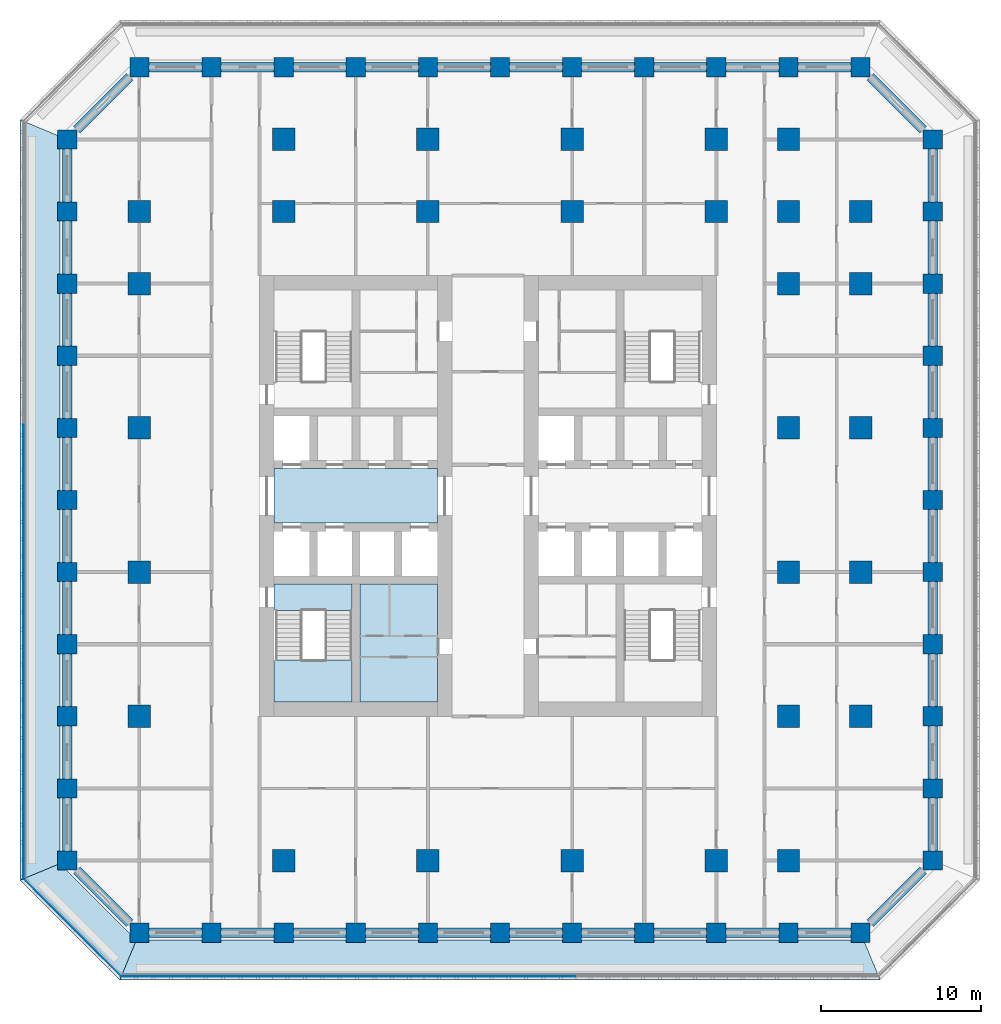
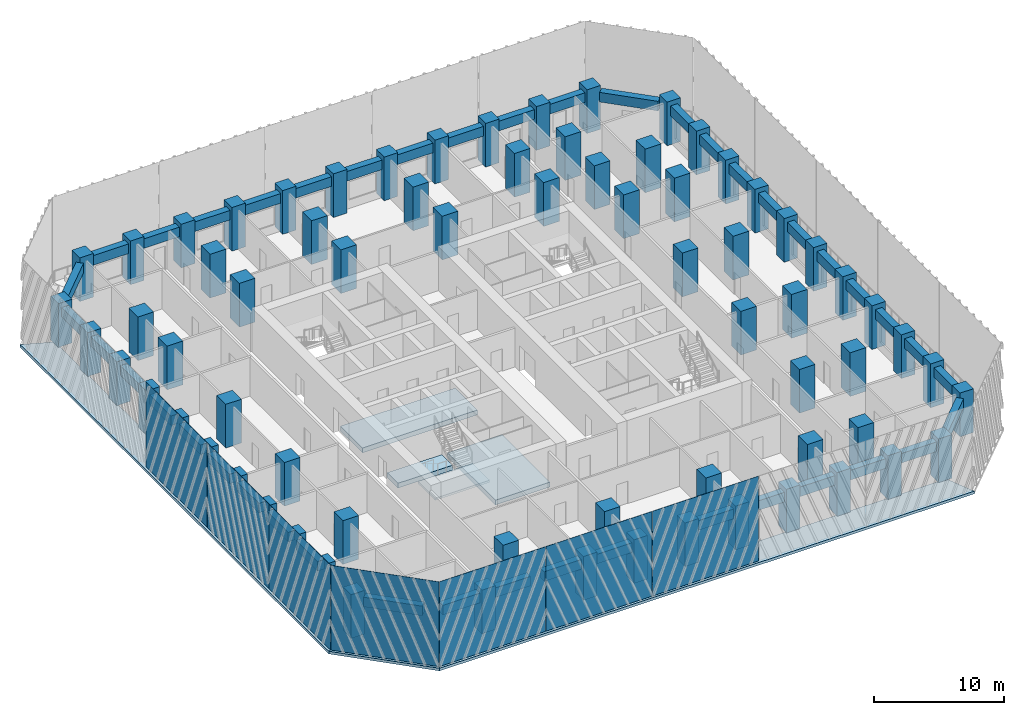
# One storey, part 1 of 20: 73 columns, 44 beams, 7 plates, 7 slabs, 1 element without a shape of its own.
"""IFC4 building model written with IfcOpenShell, lengths in metres."""

from ifc_helpers import new_model, si_unit, direction, frame, origin, origin_2d, place, context, subcontext, project, spatial, polyline, rectangle, outline, extrude, material, layer, layer_set, material_profile, profile_set, type_object, element, aggregate, save


model = new_model("IFC4")

# Units and contexts
model_context = context("Model", 3, precision=1e-05, world=origin(), true_north=direction((0.0, 1.0)))
body_context = subcontext(model_context, "Body", "Model", "MODEL_VIEW")
ifc_project = project(units=[si_unit("LENGTHUNIT", "METRE"), si_unit("AREAUNIT", "SQUARE_METRE"), si_unit("VOLUMEUNIT", "CUBIC_METRE"), si_unit("PLANEANGLEUNIT", "RADIAN"), si_unit("MASSUNIT", "GRAM", prefix="KILO")], contexts=[model_context])

# Site, building, storey
site_placement = place(None, origin())
site = spatial("IfcSite", under=ifc_project, at=site_placement, CompositionType="ELEMENT")
building_placement = place(site_placement, origin())
building = spatial("IfcBuilding", under=site, at=building_placement, Name="Corbel Stack Research Tower", CompositionType="ELEMENT")
storey_placement = place(building_placement, frame((0.0, 0.0, 98.39990234375)))
storey = spatial("IfcBuildingStorey", under=building, at=storey_placement, Name="L22", CompositionType="ELEMENT", Elevation=98.39990234375)

# Columns
ifc_material_1 = material(Name="Concrete C70/85", Category="concrete")
ifc_material_profile_1 = material_profile(ifc_material_1, rectangle(XDim=1.199951171875, YDim=1.199951171875, at=origin_2d()), Name="RC 1200 x 1200")
ifc_profile_set_1 = profile_set([ifc_material_profile_1], Name="Concrete C70/85")
column_type_1 = type_object("IfcColumnType", Name="C-1200-70", PredefinedType="COLUMN", material=ifc_profile_set_1)
for number, where, z_axis, x_axis, name in (
    (1, (-22.5, -18.0, 0.0), (0.0, 0.0, 1.0), (1.0, 0.0, 0.0), "Column 3/D L22"),
    (2, (-22.5, -13.5, 0.0), (0.0, 0.0, 1.0), (1.0, 0.0, 0.0), "Column 3/E L22"),
    (3, (-22.5, -9.0, 0.0), (0.0, 0.0, 1.0), (1.0, 0.0, 0.0), "Column 3/F L22"),
    (4, (-22.5, -4.5, 0.0), (0.0, 0.0, 1.0), (1.0, 0.0, 0.0), "Column 3/G L22"),
    (5, (-22.5, 0.0, 0.0), (0.0, 0.0, 1.0), (1.0, 0.0, 0.0), "Column 3/H L22"),
    (6, (-22.5, 4.5, 0.0), (0.0, 0.0, 1.0), (1.0, 0.0, 0.0), "Column 3/J L22"),
    (7, (-22.5, 9.0, 0.0), (0.0, 0.0, 1.0), (1.0, 0.0, 0.0), "Column 3/K L22"),
    (8, (-22.5, 13.5, 0.0), (0.0, 0.0, 1.0), (1.0, 0.0, 0.0), "Column 3/L L22"),
    (9, (-22.5, 18.0, 0.0), (0.0, 0.0, 1.0), (1.0, 0.0, 0.0), "Column 3/M L22"),
    (10, (-22.5, 22.5, 0.0), (0.0, 0.0, 1.0), (1.0, 0.0, 0.0), "Column 3/N L22"),
    (11, (-22.5, 27.0, 0.0), (0.0, 0.0, 1.0), (1.0, 0.0, 0.0), "Column 3/P L22"),
    (12, (-18.0, -22.5, 0.0), (0.0, 0.0, 1.0), (1.0, 0.0, 0.0), "Column 4/C L22"),
    (13, (-18.0, 31.5, 0.0), (0.0, 0.0, 1.0), (1.0, 0.0, 0.0), "Column 4/Q L22"),
    (14, (-13.5, -22.5, 0.0), (0.0, 0.0, 1.0), (1.0, 0.0, 0.0), "Column 5/C L22"),
    (15, (-13.5, 31.5, 0.0), (0.0, 0.0, 1.0), (1.0, 0.0, 0.0), "Column 5/Q L22"),
    (16, (-9.0, -22.5, 0.0), (0.0, 0.0, 1.0), (1.0, 0.0, 0.0), "Column 6/C L22"),
    (17, (-9.0, 31.5, 0.0), (0.0, 0.0, 1.0), (1.0, 0.0, 0.0), "Column 6/Q L22"),
    (18, (-4.5, -22.5, 0.0), (0.0, 0.0, 1.0), (1.0, 0.0, 0.0), "Column 7/C L22"),
    (19, (-4.5, 31.5, 0.0), (0.0, 0.0, 1.0), (1.0, 0.0, 0.0), "Column 7/Q L22"),
    (20, (0.0, -22.5, 0.0), (0.0, 0.0, 1.0), (1.0, 0.0, 0.0), "Column 8/C L22"),
    (21, (0.0, 31.5, 0.0), (0.0, 0.0, 1.0), (1.0, 0.0, 0.0), "Column 8/Q L22"),
    (22, (4.5, -22.5, 0.0), (0.0, 0.0, 1.0), (1.0, 0.0, 0.0), "Column 9/C L22"),
    (23, (4.5, 31.5, 0.0), (0.0, 0.0, 1.0), (1.0, 0.0, 0.0), "Column 9/Q L22"),
    (24, (9.0, -22.5, 0.0), (0.0, 0.0, 1.0), (1.0, 0.0, 0.0), "Column 10/C L22"),
    (25, (9.0, 31.5, 0.0), (0.0, 0.0, 1.0), (1.0, 0.0, 0.0), "Column 10/Q L22"),
    (26, (13.5, -22.5, 0.0), (0.0, 0.0, 1.0), (1.0, 0.0, 0.0), "Column 11/C L22"),
    (27, (13.5, 31.5, 0.0), (0.0, 0.0, 1.0), (1.0, 0.0, 0.0), "Column 11/Q L22"),
    (28, (18.0, -22.5, 0.0), (0.0, 0.0, 1.0), (1.0, 0.0, 0.0), "Column 12/C L22"),
    (29, (18.0, 31.5, 0.0), (0.0, 0.0, 1.0), (1.0, 0.0, 0.0), "Column 12/Q L22"),
    (30, (22.5, -22.5, 0.0), (0.0, 0.0, 1.0), (1.0, 0.0, 0.0), "Column 13/C L22"),
    (31, (22.5, 31.5, 0.0), (0.0, 0.0, 1.0), (1.0, 0.0, 0.0), "Column 13/Q L22"),
    (32, (27.0, -22.5, 0.0), (0.0, 0.0, 1.0), (1.0, 0.0, 0.0), "Column 14/C L22"),
    (33, (27.0, 31.5, 0.0), (0.0, 0.0, 1.0), (1.0, 0.0, 0.0), "Column 14/Q L22"),
    (34, (31.5, -18.0, 0.0), (0.0, 0.0, 1.0), (1.0, 0.0, 0.0), "Column 15/D L22"),
    (35, (31.5, -13.5, 0.0), (0.0, 0.0, 1.0), (1.0, 0.0, 0.0), "Column 15/E L22"),
    (36, (31.5, -9.0, 0.0), (0.0, 0.0, 1.0), (1.0, 0.0, 0.0), "Column 15/F L22"),
    (37, (31.5, -4.5, 0.0), (0.0, 0.0, 1.0), (1.0, 0.0, 0.0), "Column 15/G L22"),
    (38, (31.5, 0.0, 0.0), (0.0, 0.0, 1.0), (1.0, 0.0, 0.0), "Column 15/H L22"),
    (39, (31.5, 4.5, 0.0), (0.0, 0.0, 1.0), (1.0, 0.0, 0.0), "Column 15/J L22"),
    (40, (31.5, 9.0, 0.0), (0.0, 0.0, 1.0), (1.0, 0.0, 0.0), "Column 15/K L22"),
    (41, (31.5, 13.5, 0.0), (0.0, 0.0, 1.0), (1.0, 0.0, 0.0), "Column 15/L L22"),
    (42, (31.5, 18.0, 0.0), (0.0, 0.0, 1.0), (1.0, 0.0, 0.0), "Column 15/M L22"),
    (43, (31.5, 22.5, 0.0), (0.0, 0.0, 1.0), (1.0, 0.0, 0.0), "Column 15/N L22"),
    (44, (31.5, 27.0, 0.0), (0.0, 0.0, 1.0), (1.0, 0.0, 0.0), "Column 15/P L22"),
):
    element("IfcColumn", number, at=place(storey_placement, frame(where, z_axis=z_axis, x_axis=x_axis)), inside=storey, type_object=column_type_1, Name=name, PredefinedType="COLUMN", context=body_context, shape_type="SweptSolid", body=[
        extrude(rectangle(XDim=1.199951171875, YDim=1.199951171875, at=origin_2d()), origin(), (0.0, 0.0, 1.0), 4.10009765625),
    ])
ifc_material_2 = material(Name="Concrete C70/85", Category="concrete")
ifc_material_profile_2 = material_profile(ifc_material_2, rectangle(XDim=1.39990234375, YDim=1.39990234375, at=origin_2d()), Name="RC 1400 x 1400")
ifc_profile_set_2 = profile_set([ifc_material_profile_2], Name="Concrete C70/85")
column_type_2 = type_object("IfcColumnType", Name="C-1400-70", PredefinedType="COLUMN", material=ifc_profile_set_2)
for number, where, z_axis, x_axis, name in (
    (45, (-18.0, -9.0, 0.0), (0.0, 0.0, 1.0), (1.0, 0.0, 0.0), "Column 4/F L22"),
    (46, (-18.0, 0.0, 0.0), (0.0, 0.0, 1.0), (1.0, 0.0, 0.0), "Column 4/H L22"),
    (47, (-18.0, 9.0, 0.0), (0.0, 0.0, 1.0), (1.0, 0.0, 0.0), "Column 4/K L22"),
    (48, (-18.0, 18.0, 0.0), (0.0, 0.0, 1.0), (1.0, 0.0, 0.0), "Column 4/M L22"),
    (49, (-18.0, 22.5, 0.0), (0.0, 0.0, 1.0), (1.0, 0.0, 0.0), "Column 4/N L22"),
    (50, (-9.0, -18.0, 0.0), (0.0, 0.0, 1.0), (1.0, 0.0, 0.0), "Column 6/D L22"),
    (51, (-9.0, 22.5, 0.0), (0.0, 0.0, 1.0), (1.0, 0.0, 0.0), "Column 6/N L22"),
    (52, (-9.0, 27.0, 0.0), (0.0, 0.0, 1.0), (1.0, 0.0, 0.0), "Column 6/P L22"),
    (53, (0.0, -18.0, 0.0), (0.0, 0.0, 1.0), (1.0, 0.0, 0.0), "Column 8/D L22"),
    (54, (0.0, 22.5, 0.0), (0.0, 0.0, 1.0), (1.0, 0.0, 0.0), "Column 8/N L22"),
    (55, (0.0, 27.0, 0.0), (0.0, 0.0, 1.0), (1.0, 0.0, 0.0), "Column 8/P L22"),
    (56, (9.0, -18.0, 0.0), (0.0, 0.0, 1.0), (1.0, 0.0, 0.0), "Column 10/D L22"),
    (57, (9.0, 22.5, 0.0), (0.0, 0.0, 1.0), (1.0, 0.0, 0.0), "Column 10/N L22"),
    (58, (9.0, 27.0, 0.0), (0.0, 0.0, 1.0), (1.0, 0.0, 0.0), "Column 10/P L22"),
    (59, (18.0, -18.0, 0.0), (0.0, 0.0, 1.0), (1.0, 0.0, 0.0), "Column 12/D L22"),
    (60, (18.0, 22.5, 0.0), (0.0, 0.0, 1.0), (1.0, 0.0, 0.0), "Column 12/N L22"),
    (61, (18.0, 27.0, 0.0), (0.0, 0.0, 1.0), (1.0, 0.0, 0.0), "Column 12/P L22"),
    (62, (22.5, -18.0, 0.0), (0.0, 0.0, 1.0), (1.0, 0.0, 0.0), "Column 13/D L22"),
    (63, (22.5, -9.0, 0.0), (0.0, 0.0, 1.0), (1.0, 0.0, 0.0), "Column 13/F L22"),
    (64, (22.5, 0.0, 0.0), (0.0, 0.0, 1.0), (1.0, 0.0, 0.0), "Column 13/H L22"),
    (65, (22.5, 9.0, 0.0), (0.0, 0.0, 1.0), (1.0, 0.0, 0.0), "Column 13/K L22"),
    (66, (22.5, 18.0, 0.0), (0.0, 0.0, 1.0), (1.0, 0.0, 0.0), "Column 13/M L22"),
    (67, (22.5, 22.5, 0.0), (0.0, 0.0, 1.0), (1.0, 0.0, 0.0), "Column 13/N L22"),
    (68, (22.5, 27.0, 0.0), (0.0, 0.0, 1.0), (1.0, 0.0, 0.0), "Column 13/P L22"),
    (69, (27.0, -9.0, 0.0), (0.0, 0.0, 1.0), (1.0, 0.0, 0.0), "Column 14/F L22"),
    (70, (27.0, 0.0, 0.0), (0.0, 0.0, 1.0), (1.0, 0.0, 0.0), "Column 14/H L22"),
    (71, (27.0, 9.0, 0.0), (0.0, 0.0, 1.0), (1.0, 0.0, 0.0), "Column 14/K L22"),
    (72, (27.0, 18.0, 0.0), (0.0, 0.0, 1.0), (1.0, 0.0, 0.0), "Column 14/M L22"),
    (73, (27.0, 22.5, 0.0), (0.0, 0.0, 1.0), (1.0, 0.0, 0.0), "Column 14/N L22"),
):
    element("IfcColumn", number, at=place(storey_placement, frame(where, z_axis=z_axis, x_axis=x_axis)), inside=storey, type_object=column_type_2, Name=name, PredefinedType="COLUMN", context=body_context, shape_type="SweptSolid", body=[
        extrude(rectangle(XDim=1.39990234375, YDim=1.39990234375, at=origin_2d()), origin(), (0.0, 0.0, 1.0), 4.10009765625),
    ])

# Beams
ifc_material_3 = material(Name="Concrete C60/75", Category="concrete")
ifc_material_profile_3 = material_profile(ifc_material_3, rectangle(XDim=0.60009765625, YDim=0.89990234375, at=origin_2d()), Name="RC 600 x 900")
ifc_profile_set_3 = profile_set([ifc_material_profile_3], Name="Concrete C60/75")
beam_type = type_object("IfcBeamType", Name="SB-600-900-450", PredefinedType="SPANDREL", material=ifc_profile_set_3)
for number, where, z_axis, x_axis, name in (
    (74, (-17.39990234375, -22.5, 3.2001953125), (1.0, 0.0, 0.0), (0.0, 1.0, 0.0), "Spandrel beam L22-01"),
    (75, (-12.89990234375, -22.5, 3.2001953125), (1.0, 0.0, 0.0), (0.0, 1.0, 0.0), "Spandrel beam L22-02"),
    (76, (-8.39990234375, -22.5, 3.2001953125), (1.0, 0.0, 0.0), (0.0, 1.0, 0.0), "Spandrel beam L22-03"),
    (77, (-3.89990234375, -22.5, 3.2001953125), (1.0, 0.0, 0.0), (0.0, 1.0, 0.0), "Spandrel beam L22-04"),
    (78, (0.60009765625, -22.5, 3.2001953125), (1.0, 0.0, 0.0), (0.0, 1.0, 0.0), "Spandrel beam L22-05"),
    (79, (5.10009765625, -22.5, 3.2001953125), (1.0, 0.0, 0.0), (0.0, 1.0, 0.0), "Spandrel beam L22-06"),
    (80, (9.60009765625, -22.5, 3.2001953125), (1.0, 0.0, 0.0), (0.0, 1.0, 0.0), "Spandrel beam L22-07"),
    (81, (14.10009765625, -22.5, 3.2001953125), (1.0, 0.0, 0.0), (0.0, 1.0, 0.0), "Spandrel beam L22-08"),
    (82, (18.60009765625, -22.5, 3.2001953125), (1.0, 0.0, 0.0), (0.0, 1.0, 0.0), "Spandrel beam L22-09"),
    (83, (23.10009765625, -22.5, 3.2001953125), (1.0, 0.0, 0.0), (0.0, 1.0, 0.0), "Spandrel beam L22-10"),
):
    element("IfcBeam", number, at=place(storey_placement, frame(where, z_axis=z_axis, x_axis=x_axis)), inside=storey, type_object=beam_type, Name=name, PredefinedType="SPANDREL", context=body_context, shape_type="SweptSolid", body=[
        extrude(rectangle(XDim=0.60009765625, YDim=0.89990234375, at=origin_2d()), origin(), (0.0, 0.0, 1.0), 3.2998046875),
    ])
beam_1_placement = place(storey_placement, frame((27.60009765625, -21.89990234375, 3.2001953125), z_axis=(0.707106781187, 0.707106781187, 0.0), x_axis=(-0.707106781187, 0.707106781187, 0.0)))
element("IfcBeam", 84, at=beam_1_placement, inside=storey, type_object=beam_type, Name="Spandrel beam L22-11", PredefinedType="SPANDREL", context=body_context, shape_type="SweptSolid", body=[
    extrude(rectangle(XDim=0.60009765625, YDim=0.89990234375, at=origin_2d()), origin(), (0.0, 0.0, 1.0), 4.666748046875),
])
for number, where, z_axis, x_axis, name in (
    (85, (31.5, -17.39990234375, 3.2001953125), (0.0, 1.0, 0.0), (-1.0, 0.0, 0.0), "Spandrel beam L22-12"),
    (86, (31.5, -12.89990234375, 3.2001953125), (0.0, 1.0, 0.0), (-1.0, 0.0, 0.0), "Spandrel beam L22-13"),
    (87, (31.5, -8.39990234375, 3.2001953125), (0.0, 1.0, 0.0), (-1.0, 0.0, 0.0), "Spandrel beam L22-14"),
    (88, (31.5, -3.89990234375, 3.2001953125), (0.0, 1.0, 0.0), (-1.0, 0.0, 0.0), "Spandrel beam L22-15"),
    (89, (31.5, 0.60009765625, 3.2001953125), (0.0, 1.0, 0.0), (-1.0, 0.0, 0.0), "Spandrel beam L22-16"),
    (90, (31.5, 5.10009765625, 3.2001953125), (0.0, 1.0, 0.0), (-1.0, 0.0, 0.0), "Spandrel beam L22-17"),
    (91, (31.5, 9.60009765625, 3.2001953125), (0.0, 1.0, 0.0), (-1.0, 0.0, 0.0), "Spandrel beam L22-18"),
    (92, (31.5, 14.10009765625, 3.2001953125), (0.0, 1.0, 0.0), (-1.0, 0.0, 0.0), "Spandrel beam L22-19"),
    (93, (31.5, 18.60009765625, 3.2001953125), (0.0, 1.0, 0.0), (-1.0, 0.0, 0.0), "Spandrel beam L22-20"),
    (94, (31.5, 23.10009765625, 3.2001953125), (0.0, 1.0, 0.0), (-1.0, 0.0, 0.0), "Spandrel beam L22-21"),
):
    element("IfcBeam", number, at=place(storey_placement, frame(where, z_axis=z_axis, x_axis=x_axis)), inside=storey, type_object=beam_type, Name=name, PredefinedType="SPANDREL", context=body_context, shape_type="SweptSolid", body=[
        extrude(rectangle(XDim=0.60009765625, YDim=0.89990234375, at=origin_2d()), origin(), (0.0, 0.0, 1.0), 3.2998046875),
    ])
beam_2_placement = place(storey_placement, frame((30.89990234375, 27.60009765625, 3.2001953125), z_axis=(-0.707106781187, 0.707106781187, 0.0), x_axis=(-0.707106781187, -0.707106781187, 0.0)))
element("IfcBeam", 95, at=beam_2_placement, inside=storey, type_object=beam_type, Name="Spandrel beam L22-22", PredefinedType="SPANDREL", context=body_context, shape_type="SweptSolid", body=[
    extrude(rectangle(XDim=0.60009765625, YDim=0.89990234375, at=origin_2d()), origin(), (0.0, 0.0, 1.0), 4.666748046875),
])
for number, where, z_axis, x_axis, name in (
    (96, (26.39990234375, 31.5, 3.2001953125), (-1.0, 0.0, 0.0), (0.0, -1.0, 0.0), "Spandrel beam L22-23"),
    (97, (21.89990234375, 31.5, 3.2001953125), (-1.0, 0.0, 0.0), (0.0, -1.0, 0.0), "Spandrel beam L22-24"),
    (98, (17.39990234375, 31.5, 3.2001953125), (-1.0, 0.0, 0.0), (0.0, -1.0, 0.0), "Spandrel beam L22-25"),
    (99, (12.89990234375, 31.5, 3.2001953125), (-1.0, 0.0, 0.0), (0.0, -1.0, 0.0), "Spandrel beam L22-26"),
    (100, (8.39990234375, 31.5, 3.2001953125), (-1.0, 0.0, 0.0), (0.0, -1.0, 0.0), "Spandrel beam L22-27"),
    (101, (3.89990234375, 31.5, 3.2001953125), (-1.0, 0.0, 0.0), (0.0, -1.0, 0.0), "Spandrel beam L22-28"),
    (102, (-0.60009765625, 31.5, 3.2001953125), (-1.0, 0.0, 0.0), (0.0, -1.0, 0.0), "Spandrel beam L22-29"),
    (103, (-5.10009765625, 31.5, 3.2001953125), (-1.0, 0.0, 0.0), (0.0, -1.0, 0.0), "Spandrel beam L22-30"),
    (104, (-9.60009765625, 31.5, 3.2001953125), (-1.0, 0.0, 0.0), (0.0, -1.0, 0.0), "Spandrel beam L22-31"),
    (105, (-14.10009765625, 31.5, 3.2001953125), (-1.0, 0.0, 0.0), (0.0, -1.0, 0.0), "Spandrel beam L22-32"),
):
    element("IfcBeam", number, at=place(storey_placement, frame(where, z_axis=z_axis, x_axis=x_axis)), inside=storey, type_object=beam_type, Name=name, PredefinedType="SPANDREL", context=body_context, shape_type="SweptSolid", body=[
        extrude(rectangle(XDim=0.60009765625, YDim=0.89990234375, at=origin_2d()), origin(), (0.0, 0.0, 1.0), 3.2998046875),
    ])
beam_3_placement = place(storey_placement, frame((-18.60009765625, 30.89990234375, 3.2001953125), z_axis=(-0.707106781187, -0.707106781187, 0.0), x_axis=(0.707106781187, -0.707106781187, 0.0)))
element("IfcBeam", 106, at=beam_3_placement, inside=storey, type_object=beam_type, Name="Spandrel beam L22-33", PredefinedType="SPANDREL", context=body_context, shape_type="SweptSolid", body=[
    extrude(rectangle(XDim=0.60009765625, YDim=0.89990234375, at=origin_2d()), origin(), (0.0, 0.0, 1.0), 4.666748046875),
])
for number, where, z_axis, x_axis, name in (
    (107, (-22.5, 26.39990234375, 3.2001953125), (0.0, -1.0, 0.0), (1.0, 0.0, 0.0), "Spandrel beam L22-34"),
    (108, (-22.5, 21.89990234375, 3.2001953125), (0.0, -1.0, 0.0), (1.0, 0.0, 0.0), "Spandrel beam L22-35"),
    (109, (-22.5, 17.39990234375, 3.2001953125), (0.0, -1.0, 0.0), (1.0, 0.0, 0.0), "Spandrel beam L22-36"),
    (110, (-22.5, 12.89990234375, 3.2001953125), (0.0, -1.0, 0.0), (1.0, 0.0, 0.0), "Spandrel beam L22-37"),
    (111, (-22.5, 8.39990234375, 3.2001953125), (0.0, -1.0, 0.0), (1.0, 0.0, 0.0), "Spandrel beam L22-38"),
    (112, (-22.5, 3.89990234375, 3.2001953125), (0.0, -1.0, 0.0), (1.0, 0.0, 0.0), "Spandrel beam L22-39"),
    (113, (-22.5, -0.60009765625, 3.2001953125), (0.0, -1.0, 0.0), (1.0, 0.0, 0.0), "Spandrel beam L22-40"),
    (114, (-22.5, -5.10009765625, 3.2001953125), (0.0, -1.0, 0.0), (1.0, 0.0, 0.0), "Spandrel beam L22-41"),
    (115, (-22.5, -9.60009765625, 3.2001953125), (0.0, -1.0, 0.0), (1.0, 0.0, 0.0), "Spandrel beam L22-42"),
    (116, (-22.5, -14.10009765625, 3.2001953125), (0.0, -1.0, 0.0), (1.0, 0.0, 0.0), "Spandrel beam L22-43"),
):
    element("IfcBeam", number, at=place(storey_placement, frame(where, z_axis=z_axis, x_axis=x_axis)), inside=storey, type_object=beam_type, Name=name, PredefinedType="SPANDREL", context=body_context, shape_type="SweptSolid", body=[
        extrude(rectangle(XDim=0.60009765625, YDim=0.89990234375, at=origin_2d()), origin(), (0.0, 0.0, 1.0), 3.2998046875),
    ])
beam_4_placement = place(storey_placement, frame((-21.89990234375, -18.60009765625, 3.2001953125), z_axis=(0.707106781187, -0.707106781187, 0.0), x_axis=(0.707106781187, 0.707106781187, 0.0)))
element("IfcBeam", 117, at=beam_4_placement, inside=storey, type_object=beam_type, Name="Spandrel beam L22-44", PredefinedType="SPANDREL", context=body_context, shape_type="SweptSolid", body=[
    extrude(rectangle(XDim=0.60009765625, YDim=0.89990234375, at=origin_2d()), origin(), (0.0, 0.0, 1.0), 4.666748046875),
])

# Plates
ifc_material_4 = material(Name="Fritted glass", Category="glass")
ifc_layer_1 = layer(ifc_material_4, 0.02490234375)
ifc_layer_set_1 = layer_set([ifc_layer_1], Name="Fritted glass")
plate_type = type_object("IfcPlateType", Name="Fritted glass panel 25", PredefinedType="SHEET", material=ifc_layer_set_1)
for number, where, z_axis, x_axis, name in (
    (118, (-14.411376953125, -25.237548828125, 0.0), (0.0, 0.0, 1.0), (1.0, 0.0, 0.0), "Fritted glass L22 S1"),
    (119, (-4.95556640625, -25.237548828125, 0.0), (0.0, 0.0, 1.0), (1.0, 0.0, 0.0), "Fritted glass L22 S2"),
    (120, (4.5, -25.237548828125, 0.0), (0.0, 0.0, 1.0), (1.0, 0.0, 0.0), "Fritted glass L22 S3"),
    (121, (-25.237548828125, 4.5, 0.0), (0.0, 0.0, 1.0), (0.0, -1.0, 0.0), "Fritted glass L22 W3"),
    (122, (-25.237548828125, -4.95556640625, 0.0), (0.0, 0.0, 1.0), (0.0, -1.0, 0.0), "Fritted glass L22 W4"),
    (123, (-25.237548828125, -14.411376953125, 0.0), (0.0, 0.0, 1.0), (0.0, -1.0, 0.0), "Fritted glass L22 W5"),
):
    element("IfcPlate", number, at=place(storey_placement, frame(where, z_axis=z_axis, x_axis=x_axis)), inside=storey, type_object=plate_type, Name=name, PredefinedType="SHEET", context=body_context, shape_type="SweptSolid", body=[
        extrude(rectangle(XDim=9.3955078125, YDim=0.02490234375, at=origin_2d()), origin(), (0.0, 0.0, 1.0), 7.949951171875),
    ])
plate_placement = place(storey_placement, frame((-22.185791015625, -22.185791015625, 0.0), z_axis=(0.0, 0.0, 1.0), x_axis=(0.707106781187, -0.707106781187, 0.0)))
element("IfcPlate", 124, at=plate_placement, inside=storey, type_object=plate_type, Name="Fritted glass L22 SW1", PredefinedType="SHEET", context=body_context, shape_type="SweptSolid", body=[
    extrude(rectangle(XDim=8.58203125, YDim=0.02490234375, at=origin_2d()), origin(), (0.0, 0.0, 1.0), 7.949951171875),
])

# Slabs
ifc_material_5 = material(Name="Concrete C45/55", Category="concrete")
ifc_layer_2 = layer(ifc_material_5, 0.25)
ifc_layer_set_2 = layer_set([ifc_layer_2], Name="Concrete C45/55")
slab_type_1 = type_object("IfcSlabType", Name="PT balcony slab 250 C45/55", PredefinedType="FLOOR", material=ifc_layer_set_2)
slab_1_placement = place(storey_placement, frame((0.0, 0.0, -0.25)))
element("IfcSlab", 125, at=slab_1_placement, inside=storey, type_object=slab_type_1, Name="Loggia slab L22 S", PredefinedType="FLOOR", context=body_context, shape_type="SweptSolid", body=[
    extrude(outline(polyline([(27.24853515625, -23.10009765625), (26.39990234375, -23.10009765625), (26.39990234375, -22.949951171875), (23.10009765625, -22.949951171875), (23.10009765625, -23.10009765625), (21.89990234375, -23.10009765625), (21.89990234375, -22.949951171875), (18.60009765625, -22.949951171875), (18.60009765625, -23.10009765625), (17.39990234375, -23.10009765625), (17.39990234375, -22.949951171875), (14.10009765625, -22.949951171875), (14.10009765625, -23.10009765625), (12.89990234375, -23.10009765625), (12.89990234375, -22.949951171875), (9.60009765625, -22.949951171875), (9.60009765625, -23.10009765625), (8.39990234375, -23.10009765625), (8.39990234375, -22.949951171875), (5.10009765625, -22.949951171875), (5.10009765625, -23.10009765625), (3.89990234375, -23.10009765625), (3.89990234375, -22.949951171875), (0.60009765625, -22.949951171875), (0.60009765625, -23.10009765625), (-0.60009765625, -23.10009765625), (-0.60009765625, -22.949951171875), (-3.89990234375, -22.949951171875), (-3.89990234375, -23.10009765625), (-5.10009765625, -23.10009765625), (-5.10009765625, -22.949951171875), (-8.39990234375, -22.949951171875), (-8.39990234375, -23.10009765625), (-9.60009765625, -23.10009765625), (-9.60009765625, -22.949951171875), (-12.89990234375, -22.949951171875), (-12.89990234375, -23.10009765625), (-14.10009765625, -23.10009765625), (-14.10009765625, -22.949951171875), (-17.39990234375, -22.949951171875), (-17.39990234375, -23.10009765625), (-18.24853515625, -23.10009765625), (-19.221923828125, -25.449951171875), (28.221923828125, -25.449951171875), (27.24853515625, -23.10009765625)])), origin(), (0.0, 0.0, 1.0), 0.25),
])
slab_2_placement = place(storey_placement, frame((0.0, 0.0, -0.25)))
element("IfcSlab", 126, at=slab_2_placement, inside=storey, type_object=slab_type_1, Name="Loggia slab L22 W", PredefinedType="FLOOR", context=body_context, shape_type="SweptSolid", body=[
    extrude(outline(polyline([(-23.10009765625, -18.24853515625), (-23.10009765625, -17.39990234375), (-22.949951171875, -17.39990234375), (-22.949951171875, -14.10009765625), (-23.10009765625, -14.10009765625), (-23.10009765625, -12.89990234375), (-22.949951171875, -12.89990234375), (-22.949951171875, -9.60009765625), (-23.10009765625, -9.60009765625), (-23.10009765625, -8.39990234375), (-22.949951171875, -8.39990234375), (-22.949951171875, -5.10009765625), (-23.10009765625, -5.10009765625), (-23.10009765625, -3.89990234375), (-22.949951171875, -3.89990234375), (-22.949951171875, -0.60009765625), (-23.10009765625, -0.60009765625), (-23.10009765625, 0.60009765625), (-22.949951171875, 0.60009765625), (-22.949951171875, 3.89990234375), (-23.10009765625, 3.89990234375), (-23.10009765625, 5.10009765625), (-22.949951171875, 5.10009765625), (-22.949951171875, 8.39990234375), (-23.10009765625, 8.39990234375), (-23.10009765625, 9.60009765625), (-22.949951171875, 9.60009765625), (-22.949951171875, 12.89990234375), (-23.10009765625, 12.89990234375), (-23.10009765625, 14.10009765625), (-22.949951171875, 14.10009765625), (-22.949951171875, 17.39990234375), (-23.10009765625, 17.39990234375), (-23.10009765625, 18.60009765625), (-22.949951171875, 18.60009765625), (-22.949951171875, 21.89990234375), (-23.10009765625, 21.89990234375), (-23.10009765625, 23.10009765625), (-22.949951171875, 23.10009765625), (-22.949951171875, 26.39990234375), (-23.10009765625, 26.39990234375), (-23.10009765625, 27.24853515625), (-25.449951171875, 28.221923828125), (-25.449951171875, -19.221923828125), (-23.10009765625, -18.24853515625)])), origin(), (0.0, 0.0, 1.0), 0.25),
])
slab_3_placement = place(storey_placement, frame((0.0, 0.0, -0.25)))
element("IfcSlab", 127, at=slab_3_placement, inside=storey, type_object=slab_type_1, Name="Loggia slab L22 SW", PredefinedType="FLOOR", context=body_context, shape_type="SweptSolid", body=[
    extrude(outline(polyline([(-18.24853515625, -23.10009765625), (-18.60009765625, -23.10009765625), (-18.60009765625, -22.536376953125), (-22.536376953125, -18.60009765625), (-23.10009765625, -18.60009765625), (-23.10009765625, -18.24853515625), (-25.449951171875, -19.221923828125), (-19.221923828125, -25.449951171875), (-18.24853515625, -23.10009765625)])), origin(), (0.0, 0.0, 1.0), 0.25),
])
ifc_material_6 = material(Name="Concrete C45/55", Category="concrete")
ifc_layer_3 = layer(ifc_material_6, 0.449951171875)
ifc_layer_set_3 = layer_set([ifc_layer_3], Name="Concrete C45/55")
slab_type_2 = type_object("IfcSlabType", Name="PT-450", PredefinedType="FLOOR", material=ifc_layer_set_3)
slab_4_placement = place(storey_placement, frame((0.0, 0.0, -0.449951171875)))
element("IfcSlab", 128, at=slab_4_placement, inside=storey, type_object=slab_type_2, Name="West core floor L22", PredefinedType="FLOOR", context=body_context, shape_type="SweptSolid", body=[
    extrude(outline(polyline([(0.60009765625, 6.449951171875), (-9.60009765625, 6.449951171875), (-9.60009765625, 3.050048828125), (0.60009765625, 3.050048828125), (0.60009765625, 6.449951171875)])), origin(), (0.0, 0.0, 1.0), 0.449951171875),
])
slab_5_placement = place(storey_placement, frame((0.0, 0.0, -0.449951171875)))
element("IfcSlab", 129, at=slab_5_placement, inside=storey, type_object=slab_type_2, Name="West core floor L22", PredefinedType="FLOOR", context=body_context, shape_type="SweptSolid", body=[
    extrude(outline(polyline([(0.60009765625, -8.10009765625), (0.60009765625, -0.75), (-4.25, -0.75), (-4.25, -8.10009765625), (0.60009765625, -8.10009765625)])), origin(), (0.0, 0.0, 1.0), 0.449951171875),
])
slab_6_placement = place(storey_placement, frame((0.0, 0.0, -0.449951171875)))
element("IfcSlab", 130, at=slab_6_placement, inside=storey, type_object=slab_type_2, Name="Stair floor landing ST-W1", PredefinedType="FLOOR", context=body_context, shape_type="SweptSolid", body=[
    extrude(outline(polyline([(-9.60009765625, -2.39990234375), (-4.75, -2.39990234375), (-4.75, -0.75), (-9.60009765625, -0.75), (-9.60009765625, -2.39990234375)])), origin(), (0.0, 0.0, 1.0), 0.449951171875),
])

# Stair, slab
ifc_material_7 = material(Name="Concrete C40/50", Category="concrete")
stair_type = type_object("IfcStairType", Name="Exit stair 24 risers", PredefinedType="HALF_TURN_STAIR", material=ifc_material_7)
stair_placement = place(storey_placement, origin())
stair = element("IfcStair", 131, at=stair_placement, inside=storey, type_object=stair_type, Name="L22 Exit stair ST-W1", PredefinedType="HALF_TURN_STAIR")
ifc_material_8 = material(Name="Concrete C40/50", Category="concrete")
ifc_layer_4 = layer(ifc_material_8, 0.199951171875)
ifc_layer_set_4 = layer_set([ifc_layer_4], Name="Concrete C40/50")
slab_type_3 = type_object("IfcSlabType", Name="Stair landing 200 C40/50", PredefinedType="LANDING", material=ifc_layer_set_4)
slab_7_placement = place(storey_placement, frame((0.0, 0.0, 1.85009765625)))
slab_7 = element("IfcSlab", 132, at=slab_7_placement, type_object=slab_type_3, Name="ST-W1 landing 1", PredefinedType="LANDING", context=body_context, shape_type="SweptSolid", body=[
    extrude(outline(polyline([(-9.60009765625, -8.10009765625), (-9.60009765625, -5.47998046875), (-4.75, -5.47998046875), (-4.75, -8.10009765625), (-9.60009765625, -8.10009765625)])), origin(), (0.0, 0.0, 1.0), 0.199951171875),
])
aggregate(stair, [slab_7])

save(model, "model.ifc")
